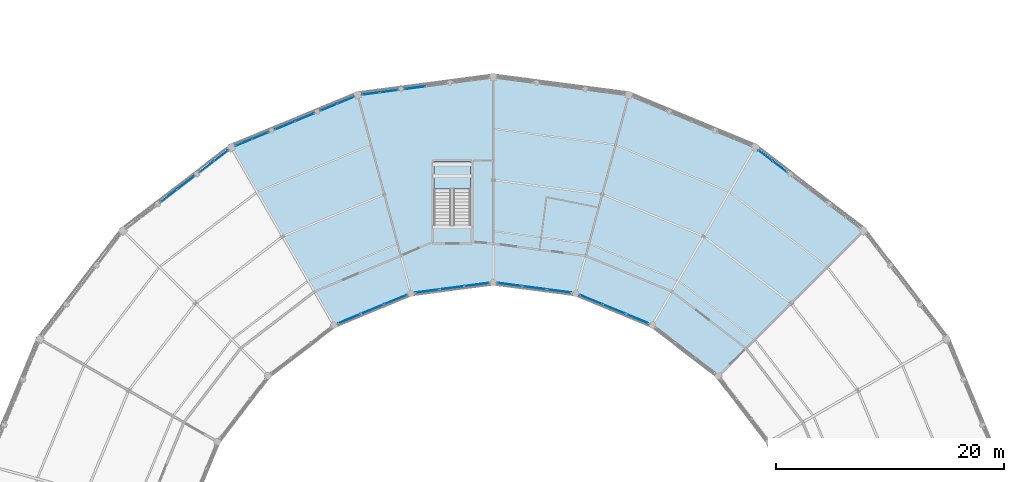
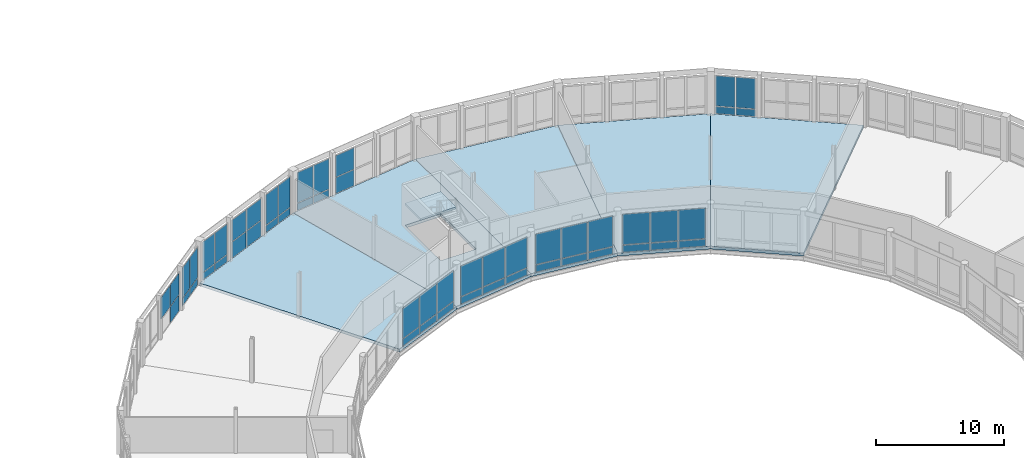
# One storey, part 130 of 170: 53 plates, 6 slabs, 13 elements without a shape of their own.
"""IFC4 building model written with IfcOpenShell, lengths in metres."""

import ifcopenshell
import ifcopenshell.guid

model = None  # the IFC model being written
_history = None  # IfcOwnerHistory: only IFC2X3 demands one
_inside = {}  # id of a spatial element -> (the spatial element, [elements in it])
_under = {}  # id of a project, library or spatial element -> (it, [spatial elements below it])
_declared = {}  # id of a project -> (the project, [libraries it declares])
_typed = {}  # id of a type object -> (the type object, [elements of that type])
_made_of = {}  # id of a material, layer set ... -> (it, [elements and type objects made of it])


def new_model(schema):
    """Start an empty IFC model of exactly this schema.

    Asked for "IFC4X3", IfcOpenShell would pick the latest addendum, in which some entities
    have other attributes; the version numbers below select the first issue.
    IFC2X3 requires an IfcOwnerHistory on every rooted entity: one is made here for all.
    """
    global model, _history
    if schema == "IFC4X3":
        model = ifcopenshell.file(schema_version=(4, 3, 0, 0))
    else:
        model = ifcopenshell.file(schema=schema)
    _inside.clear()
    _under.clear()
    _declared.clear()
    _typed.clear()
    _made_of.clear()
    _history = None
    if model.schema == "IFC2X3":
        org = make("IfcOrganization", Name="unknown")
        user = make(
            "IfcPersonAndOrganization",
            ThePerson=make("IfcPerson", FamilyName="unknown"),
            TheOrganization=org,
        )
        app = make(
            "IfcApplication",
            ApplicationDeveloper=org,
            Version="unknown",
            ApplicationFullName="unknown",
            ApplicationIdentifier="unknown",
        )
        _history = make(
            "IfcOwnerHistory",
            OwningUser=user,
            OwningApplication=app,
            ChangeAction="ADDED",
            CreationDate=0,
        )
    return model


def make(cls, **values):
    """One entity of the class cls with the attributes given. An attribute that is None is left unset."""
    return model.create_entity(
        cls, **{name: value for name, value in values.items() if value is not None}
    )


def rooted(cls, **values):
    """An entity with a GlobalId (a new one), such as an element, a storey or a relation."""
    return make(cls, GlobalId=ifcopenshell.guid.new(), OwnerHistory=_history, **values)


def si_unit(unit_type, name, prefix=None):
    """IfcSIUnit, for example si_unit("LENGTHUNIT", "METRE", prefix="MILLI")."""
    return make("IfcSIUnit", UnitType=unit_type, Prefix=prefix, Name=name)


def assignment(units):
    """IfcUnitAssignment: the units of a project."""
    return None if units is None else make("IfcUnitAssignment", Units=units)


def point(xyz):
    """IfcCartesianPoint."""
    return None if xyz is None else make("IfcCartesianPoint", Coordinates=xyz)


def direction(xyz):
    """IfcDirection."""
    return None if xyz is None else make("IfcDirection", DirectionRatios=xyz)


def frame(location, z_axis=None, x_axis=None):
    """IfcAxis2Placement3D, a coordinate frame: its origin and axes. An axis left out is left unset."""
    return make(
        "IfcAxis2Placement3D",
        Location=point(location),
        Axis=direction(z_axis),
        RefDirection=direction(x_axis),
    )


def frame_2d(location, x_axis=None):
    """IfcAxis2Placement2D, a coordinate frame in the plane: its origin and x axis."""
    return make(
        "IfcAxis2Placement2D", Location=point(location), RefDirection=direction(x_axis)
    )


def origin():
    """The frame at (0, 0, 0) with its axes left unset."""
    return frame((0.0, 0.0, 0.0))


def origin_2d():
    """The frame at (0, 0) in the plane with its x axis left unset."""
    return frame_2d((0.0, 0.0))


def place(relative_to, where):
    """IfcLocalPlacement: puts the frame where relative to a parent placement (None: the world)."""
    return make(
        "IfcLocalPlacement", PlacementRelTo=relative_to, RelativePlacement=where
    )


def context(
    kind, dimensions, precision=None, world=None, true_north=None, identifier=None
):
    """IfcGeometricRepresentationContext, for example the 3D "Model" context."""
    return make(
        "IfcGeometricRepresentationContext",
        ContextIdentifier=identifier,
        ContextType=kind,
        CoordinateSpaceDimension=dimensions,
        Precision=precision,
        WorldCoordinateSystem=world,
        TrueNorth=true_north,
    )


def subcontext(parent, identifier, kind, view, scale=None):
    """IfcGeometricRepresentationSubContext, for example "Body" below "Model"."""
    return make(
        "IfcGeometricRepresentationSubContext",
        ContextIdentifier=identifier,
        ContextType=kind,
        ParentContext=parent,
        TargetScale=scale,
        TargetView=view,
    )


def project(units=None, contexts=None):
    """IfcProject with its units and contexts."""
    return rooted(
        "IfcProject",
        Name="project",
        RepresentationContexts=contexts,
        UnitsInContext=assignment(units),
    )


def spatial(cls, under=None, at=None, **own):
    """A site, building, storey or space (cls), placed at a placement, below another one or the project."""
    s = rooted(cls, ObjectPlacement=at, **own)
    if under is not None:
        _under.setdefault(under.id(), (under, []))[1].append(s)
    return s


def polyline(points):
    """IfcPolyline through the points."""
    return make("IfcPolyline", Points=[point(p) for p in points])


def profile(cls, at=None, kind="AREA", **sizes):
    """A parametric profile (cls). Its sizes go by their IFC names, for example OverallWidth=200.0."""
    return make(cls, ProfileType=kind, Position=at, **sizes)


def rectangle(**sizes):
    """IfcRectangleProfileDef."""
    return profile("IfcRectangleProfileDef", **sizes)


def outline(outer, holes=None, kind="AREA"):
    """IfcArbitraryClosedProfileDef: a profile drawn as a closed curve; with holes, ...WithVoids."""
    if holes is None:
        return make("IfcArbitraryClosedProfileDef", ProfileType=kind, OuterCurve=outer)
    return make(
        "IfcArbitraryProfileDefWithVoids",
        ProfileType=kind,
        OuterCurve=outer,
        InnerCurves=holes,
    )


def extrude(swept, where, along, depth):
    """IfcExtrudedAreaSolid: the profile swept, set in the frame where, extruded along a direction by depth."""
    return make(
        "IfcExtrudedAreaSolid",
        SweptArea=swept,
        Position=where,
        ExtrudedDirection=direction(along),
        Depth=depth,
    )


def shape(context_of_items, identifier, shape_type, items):
    """IfcShapeRepresentation: the items that make up one representation, for example the "Body"."""
    return make(
        "IfcShapeRepresentation",
        ContextOfItems=context_of_items,
        RepresentationIdentifier=identifier,
        RepresentationType=shape_type,
        Items=items,
    )


def material(Name=None, Category=None):
    """IfcMaterial."""
    return make("IfcMaterial", Name=Name, Category=Category)


def layer(
    of_material, thickness, ventilated=None, Name=None, Category=None, Priority=None
):
    """IfcMaterialLayer: one layer of a wall or slab, of a material (None: an air gap)."""
    return make(
        "IfcMaterialLayer",
        Material=of_material,
        LayerThickness=thickness,
        IsVentilated=ventilated,
        Name=Name,
        Category=Category,
        Priority=Priority,
    )


def layer_set(layers, Name=None):
    """IfcMaterialLayerSet."""
    return make("IfcMaterialLayerSet", MaterialLayers=layers, LayerSetName=Name)


def made_of(thing, what):
    """Note that an element or type object is made of a material, layer set ...; save() writes the relation."""
    if what is not None:
        _made_of.setdefault(what.id(), (what, []))[1].append(thing)
    return thing


def type_object(cls, material=None, **own):
    """A type object (cls), such as IfcWallType, which elements share."""
    return made_of(rooted(cls, **own), material)


def element(
    cls,
    number,
    at=None,
    inside=None,
    cuts=None,
    type_object=None,
    material=None,
    context=None,
    identifier="Body",
    shape_type=None,
    held_by="IfcProductDefinitionShape",
    body=None,
    shapes=None,
    **own,
):
    """One element of the class cls, such as IfcWall. Its Tag is "e" and its number.

    at: its placement. inside: the storey or other place that contains it. cuts: it is an
    opening in that element (IfcRelVoidsElement). A single representation is given by context,
    identifier, shape_type and body (its items); several are given by shapes. held_by: the class
    of the entity that holds the representations. save() writes the other relations.
    """
    e = rooted(cls, Tag="e%d" % number, ObjectPlacement=at, **own)
    if body is not None:
        shapes = [shape(context, identifier, shape_type, body)]
    if shapes is not None:
        e.Representation = make(held_by, Representations=shapes)
    if inside is not None:
        _inside.setdefault(inside.id(), (inside, []))[1].append(e)
    if cuts is not None:
        rooted(
            "IfcRelVoidsElement", RelatingBuildingElement=cuts, RelatedOpeningElement=e
        )
    if type_object is not None:
        _typed.setdefault(type_object.id(), (type_object, []))[1].append(e)
    return made_of(e, material)


def aggregate(whole, parts):
    """IfcRelAggregates: a whole, such as a stair, and the parts it consists of."""
    return rooted("IfcRelAggregates", RelatingObject=whole, RelatedObjects=parts)


def save(model, path):
    """Write the relations noted so far, then the file.

    IfcRelAggregates (storeys below a building ...), IfcRelContainedInSpatialStructure (elements
    in a storey), IfcRelDefinesByType, IfcRelAssociatesMaterial and IfcRelDeclares: one each for
    every whole, place, type object, material and project.
    """
    for whole, parts in _under.values():
        aggregate(whole, parts)
    for where, things in _inside.values():
        rooted(
            "IfcRelContainedInSpatialStructure",
            RelatedElements=things,
            RelatingStructure=where,
        )
    for kind, things in _typed.values():
        rooted("IfcRelDefinesByType", RelatedObjects=things, RelatingType=kind)
    for what, things in _made_of.values():
        rooted("IfcRelAssociatesMaterial", RelatedObjects=things, RelatingMaterial=what)
    for by, libraries in _declared.values():
        rooted("IfcRelDeclares", RelatingContext=by, RelatedDefinitions=libraries)
    model.write(path)


model = new_model("IFC4")

# Units and contexts
model_context = context("Model", 3, precision=1e-05, world=origin(), true_north=direction((0.0, 1.0)))
body_context = subcontext(model_context, "Body", "Model", "MODEL_VIEW")
ifc_project = project(units=[si_unit("LENGTHUNIT", "METRE"), si_unit("AREAUNIT", "SQUARE_METRE"), si_unit("VOLUMEUNIT", "CUBIC_METRE"), si_unit("PLANEANGLEUNIT", "RADIAN"), si_unit("MASSUNIT", "GRAM", prefix="KILO")], contexts=[model_context])

# Site, building, storey
site_placement = place(None, origin())
site = spatial("IfcSite", under=ifc_project, at=site_placement, CompositionType="ELEMENT")
building_placement = place(site_placement, origin())
building = spatial("IfcBuilding", under=site, at=building_placement, Name="Vondelvale Polytechnic", CompositionType="ELEMENT")
storey_placement = place(building_placement, frame((0.0, 0.0, 5.39990234375)))
storey = spatial("IfcBuildingStorey", under=building, at=storey_placement, Name="L01", CompositionType="ELEMENT", Elevation=5.39990234375)

# Curtain wall, plates
ifc_material_1 = material(Name="Glulam GL18 structural Tasmanian oak (fb = 42 MPa)", Category="wood")
curtain_wall_type_1 = type_object("IfcCurtainWallType", Name="CW-RING-OUTER", PredefinedType="NOTDEFINED", material=ifc_material_1)
curtain_wall_1_placement = place(storey_placement, origin())
curtain_wall_1 = element("IfcCurtainWall", 1, at=curtain_wall_1_placement, inside=storey, type_object=curtain_wall_type_1, Name="L01 architectural curtain wall CW-04-103", PredefinedType="NOTDEFINED")
ifc_material_2 = material(Name="Double-glazed low-E insulated architectural glass", Category="glass")
ifc_layer_1 = layer(ifc_material_2, 0.028076171875)
ifc_layer_set_1 = layer_set([ifc_layer_1], Name="CW-PANEL-GLAZED")
plate_type_1 = type_object("IfcPlateType", Name="CW-PANEL-GLAZED", PredefinedType="CURTAIN_PANEL", material=ifc_layer_set_1)
plate_1_placement = place(storey_placement, frame((127.187744140625, 110.158447265625, 0.7802734375), z_axis=(0.0, 0.0, 1.0), x_axis=(-0.793333825656, 0.608786860133, 0.0)))
plate_1 = element("IfcPlate", 2, at=plate_1_placement, type_object=plate_type_1, Name="CW-04-103 panel 1.2", PredefinedType="CURTAIN_PANEL", context=body_context, shape_type="SweptSolid", body=[
    extrude(rectangle(XDim=1.530029296875, YDim=0.028076171875, at=origin_2d()), origin(), (0.0, 0.0, 1.0), 2.8798828125),
])
plate_2_placement = place(storey_placement, frame((125.92236328125, 111.12939453125, 0.7802734375), z_axis=(0.0, 0.0, 1.0), x_axis=(-0.793333825656, 0.608786860133, 0.0)))
plate_2 = element("IfcPlate", 3, at=plate_2_placement, type_object=plate_type_1, Name="CW-04-103 panel 2.2", PredefinedType="CURTAIN_PANEL", context=body_context, shape_type="SweptSolid", body=[
    extrude(rectangle(XDim=1.530029296875, YDim=0.028076171875, at=origin_2d()), origin(), (0.0, 0.0, 1.0), 2.8798828125),
])

ifc_material_3 = material(Name="Anodised extruded aluminium 6063-T6", Category="aluminium")
curtain_wall_type_2 = type_object("IfcCurtainWallType", Name="CW-RING-CLOISTER", PredefinedType="NOTDEFINED", material=ifc_material_3)
curtain_wall_2_placement = place(storey_placement, origin())
curtain_wall_2 = element("IfcCurtainWall", 4, at=curtain_wall_2_placement, inside=storey, type_object=curtain_wall_type_2, Name="L01 architectural curtain wall CW-03-115", PredefinedType="NOTDEFINED")
plate_3_placement = place(storey_placement, frame((114.655029296875, 96.805908203125, 0.78271484375), z_axis=(0.0, 0.0, 1.0), x_axis=(-0.923881562419, 0.382678531697, 0.0)))
plate_3 = element("IfcPlate", 5, at=plate_3_placement, type_object=plate_type_1, Name="CW-03-115 panel 1.2", PredefinedType="CURTAIN_PANEL", context=body_context, shape_type="SweptSolid", body=[
    extrude(rectangle(XDim=2.111572265625, YDim=0.028076171875, at=origin_2d()), origin(), (0.0, 0.0, 1.0), 2.902587890625),
])
plate_4_placement = place(storey_placement, frame((112.62353515625, 97.647216796875, 0.78271484375), z_axis=(0.0, 0.0, 1.0), x_axis=(-0.923881562419, 0.382678531697, 0.0)))
plate_4 = element("IfcPlate", 6, at=plate_4_placement, type_object=plate_type_1, Name="CW-03-115 panel 2.2", PredefinedType="CURTAIN_PANEL", context=body_context, shape_type="SweptSolid", body=[
    extrude(rectangle(XDim=2.146484375, YDim=0.028076171875, at=origin_2d()), origin(), (0.0, 0.0, 1.0), 2.902587890625),
])
plate_5_placement = place(storey_placement, frame((110.591796875, 98.48876953125, 0.78271484375), z_axis=(0.0, 0.0, 1.0), x_axis=(-0.923881562419, 0.382678531697, 0.0)))
plate_5 = element("IfcPlate", 7, at=plate_5_placement, type_object=plate_type_1, Name="CW-03-115 panel 3.2", PredefinedType="CURTAIN_PANEL", context=body_context, shape_type="SweptSolid", body=[
    extrude(rectangle(XDim=2.111572265625, YDim=0.028076171875, at=origin_2d()), origin(), (0.0, 0.0, 1.0), 2.902587890625),
])

curtain_wall_3_placement = place(storey_placement, origin())
curtain_wall_3 = element("IfcCurtainWall", 8, at=curtain_wall_3_placement, inside=storey, type_object=curtain_wall_type_2, Name="L01 architectural curtain wall CW-03-135", PredefinedType="NOTDEFINED")
plate_6_placement = place(storey_placement, frame((107.804443359375, 99.23583984375, 0.78271484375), z_axis=(0.0, 0.0, 1.0), x_axis=(-0.99144462243, 0.130528007165, 0.0)))
plate_6 = element("IfcPlate", 9, at=plate_6_placement, type_object=plate_type_1, Name="CW-03-135 panel 1.2", PredefinedType="CURTAIN_PANEL", context=body_context, shape_type="SweptSolid", body=[
    extrude(rectangle(XDim=2.1123046875, YDim=0.028076171875, at=origin_2d()), origin(), (0.0, 0.0, 1.0), 2.902587890625),
])
plate_7_placement = place(storey_placement, frame((105.62353515625, 99.52294921875, 0.78271484375), z_axis=(0.0, 0.0, 1.0), x_axis=(-0.99144462243, 0.130528007165, 0.0)))
plate_7 = element("IfcPlate", 10, at=plate_7_placement, type_object=plate_type_1, Name="CW-03-135 panel 2.2", PredefinedType="CURTAIN_PANEL", context=body_context, shape_type="SweptSolid", body=[
    extrude(rectangle(XDim=2.1474609375, YDim=0.028076171875, at=origin_2d()), origin(), (0.0, 0.0, 1.0), 2.902587890625),
])
plate_8_placement = place(storey_placement, frame((103.4423828125, 99.81005859375, 0.78271484375), z_axis=(0.0, 0.0, 1.0), x_axis=(-0.99144462243, 0.130528007165, 0.0)))
plate_8 = element("IfcPlate", 11, at=plate_8_placement, type_object=plate_type_1, Name="CW-03-135 panel 3.2", PredefinedType="CURTAIN_PANEL", context=body_context, shape_type="SweptSolid", body=[
    extrude(rectangle(XDim=2.1123046875, YDim=0.028076171875, at=origin_2d()), origin(), (0.0, 0.0, 1.0), 2.902587890625),
])

curtain_wall_4_placement = place(storey_placement, origin())
curtain_wall_4 = element("IfcCurtainWall", 12, at=curtain_wall_4_placement, inside=storey, type_object=curtain_wall_type_2, Name="L01 architectural curtain wall CW-03-155", PredefinedType="NOTDEFINED")
plate_9_placement = place(storey_placement, frame((100.5576171875, 99.81005859375, 0.78271484375), z_axis=(0.0, 0.0, 1.0), x_axis=(-0.99144462243, -0.130528007165, 0.0)))
plate_9 = element("IfcPlate", 13, at=plate_9_placement, type_object=plate_type_1, Name="CW-03-155 panel 1.2", PredefinedType="CURTAIN_PANEL", context=body_context, shape_type="SweptSolid", body=[
    extrude(rectangle(XDim=2.1123046875, YDim=0.028076171875, at=origin_2d()), origin(), (0.0, 0.0, 1.0), 2.902587890625),
])
plate_10_placement = place(storey_placement, frame((98.37646484375, 99.52294921875, 0.78271484375), z_axis=(0.0, 0.0, 1.0), x_axis=(-0.99144462243, -0.130528007165, 0.0)))
plate_10 = element("IfcPlate", 14, at=plate_10_placement, type_object=plate_type_1, Name="CW-03-155 panel 2.2", PredefinedType="CURTAIN_PANEL", context=body_context, shape_type="SweptSolid", body=[
    extrude(rectangle(XDim=2.1474609375, YDim=0.028076171875, at=origin_2d()), origin(), (0.0, 0.0, 1.0), 2.902587890625),
])
plate_11_placement = place(storey_placement, frame((96.195556640625, 99.23583984375, 0.78271484375), z_axis=(0.0, 0.0, 1.0), x_axis=(-0.99144462243, -0.130528007165, 0.0)))
plate_11 = element("IfcPlate", 15, at=plate_11_placement, type_object=plate_type_1, Name="CW-03-155 panel 3.2", PredefinedType="CURTAIN_PANEL", context=body_context, shape_type="SweptSolid", body=[
    extrude(rectangle(XDim=2.1123046875, YDim=0.028076171875, at=origin_2d()), origin(), (0.0, 0.0, 1.0), 2.902587890625),
])

curtain_wall_5_placement = place(storey_placement, origin())
curtain_wall_5 = element("IfcCurtainWall", 16, at=curtain_wall_5_placement, inside=storey, type_object=curtain_wall_type_1, Name="L01 architectural curtain wall CW-04-158", PredefinedType="NOTDEFINED")
plate_12_placement = place(storey_placement, frame((92.828369140625, 116.79248046875, 0.7802734375), z_axis=(0.0, 0.0, 1.0), x_axis=(-0.991443102996, -0.130539547729, 0.0)))
plate_12 = element("IfcPlate", 17, at=plate_12_placement, type_object=plate_type_1, Name="CW-04-158 panel 1.2", PredefinedType="CURTAIN_PANEL", context=body_context, shape_type="SweptSolid", body=[
    extrude(rectangle(XDim=1.530029296875, YDim=0.028076171875, at=origin_2d()), origin(), (0.0, 0.0, 1.0), 2.8798828125),
])
plate_13_placement = place(storey_placement, frame((91.2470703125, 116.584228515625, 0.7802734375), z_axis=(0.0, 0.0, 1.0), x_axis=(-0.991443102996, -0.130539547729, 0.0)))
plate_13 = element("IfcPlate", 18, at=plate_13_placement, type_object=plate_type_1, Name="CW-04-158 panel 2.2", PredefinedType="CURTAIN_PANEL", context=body_context, shape_type="SweptSolid", body=[
    extrude(rectangle(XDim=1.530029296875, YDim=0.028076171875, at=origin_2d()), origin(), (0.0, 0.0, 1.0), 2.8798828125),
])

curtain_wall_6_placement = place(storey_placement, origin())
curtain_wall_6 = element("IfcCurtainWall", 19, at=curtain_wall_6_placement, inside=storey, type_object=curtain_wall_type_2, Name="L01 architectural curtain wall CW-03-175", PredefinedType="NOTDEFINED")
plate_14_placement = place(storey_placement, frame((93.408203125, 98.48876953125, 0.78271484375), z_axis=(0.0, 0.0, 1.0), x_axis=(-0.923881562419, -0.382678531697, 0.0)))
plate_14 = element("IfcPlate", 20, at=plate_14_placement, type_object=plate_type_1, Name="CW-03-175 panel 1.2", PredefinedType="CURTAIN_PANEL", context=body_context, shape_type="SweptSolid", body=[
    extrude(rectangle(XDim=2.111572265625, YDim=0.028076171875, at=origin_2d()), origin(), (0.0, 0.0, 1.0), 2.902587890625),
])
plate_15_placement = place(storey_placement, frame((91.37646484375, 97.647216796875, 0.78271484375), z_axis=(0.0, 0.0, 1.0), x_axis=(-0.923881562419, -0.382678531697, 0.0)))
plate_15 = element("IfcPlate", 21, at=plate_15_placement, type_object=plate_type_1, Name="CW-03-175 panel 2.2", PredefinedType="CURTAIN_PANEL", context=body_context, shape_type="SweptSolid", body=[
    extrude(rectangle(XDim=2.146484375, YDim=0.028076171875, at=origin_2d()), origin(), (0.0, 0.0, 1.0), 2.902587890625),
])
plate_16_placement = place(storey_placement, frame((89.344970703125, 96.805908203125, 0.78271484375), z_axis=(0.0, 0.0, 1.0), x_axis=(-0.923881562419, -0.382678531697, 0.0)))
plate_16 = element("IfcPlate", 22, at=plate_16_placement, type_object=plate_type_1, Name="CW-03-175 panel 3.2", PredefinedType="CURTAIN_PANEL", context=body_context, shape_type="SweptSolid", body=[
    extrude(rectangle(XDim=2.111572265625, YDim=0.028076171875, at=origin_2d()), origin(), (0.0, 0.0, 1.0), 2.902587890625),
])

curtain_wall_7_placement = place(storey_placement, origin())
curtain_wall_7 = element("IfcCurtainWall", 23, at=curtain_wall_7_placement, inside=storey, type_object=curtain_wall_type_1, Name="L01 architectural curtain wall CW-04-176", PredefinedType="NOTDEFINED")
plate_17_placement = place(storey_placement, frame((89.02001953125, 115.98779296875, 0.7802734375), z_axis=(0.0, 0.0, 1.0), x_axis=(-0.923882033442, -0.382677394529, 0.0)))
plate_17 = element("IfcPlate", 24, at=plate_17_placement, type_object=plate_type_1, Name="CW-04-176 panel 1.2", PredefinedType="CURTAIN_PANEL", context=body_context, shape_type="SweptSolid", body=[
    extrude(rectangle(XDim=1.530029296875, YDim=0.028076171875, at=origin_2d()), origin(), (0.0, 0.0, 1.0), 2.8798828125),
])
plate_18_placement = place(storey_placement, frame((87.546630859375, 115.377197265625, 0.7802734375), z_axis=(0.0, 0.0, 1.0), x_axis=(-0.923882033442, -0.382677394529, 0.0)))
plate_18 = element("IfcPlate", 25, at=plate_18_placement, type_object=plate_type_1, Name="CW-04-176 panel 2.2", PredefinedType="CURTAIN_PANEL", context=body_context, shape_type="SweptSolid", body=[
    extrude(rectangle(XDim=1.530029296875, YDim=0.028076171875, at=origin_2d()), origin(), (0.0, 0.0, 1.0), 2.8798828125),
])

curtain_wall_8_placement = place(storey_placement, origin())
curtain_wall_8 = element("IfcCurtainWall", 26, at=curtain_wall_8_placement, inside=storey, type_object=curtain_wall_type_1, Name="L01 architectural curtain wall CW-04-177", PredefinedType="NOTDEFINED")
plate_19_placement = place(storey_placement, frame((85.412841796875, 114.493408203125, 1.6298828125), z_axis=(0.0, 0.0, 1.0), x_axis=(-0.92387490701, -0.382694599123, 0.0)))
plate_19 = element("IfcPlate", 27, at=plate_19_placement, type_object=plate_type_1, Name="CW-04-177 panel 1.2", PredefinedType="CURTAIN_PANEL", context=body_context, shape_type="SweptSolid", body=[
    extrude(rectangle(XDim=1.80908203125, YDim=0.028076171875, at=origin_2d()), origin(), (0.0, 0.0, 1.0), 2.030029296875),
])
plate_20_placement = place(storey_placement, frame((83.681396484375, 113.7763671875, 1.6298828125), z_axis=(0.0, 0.0, 1.0), x_axis=(-0.92387490701, -0.382694599123, 0.0)))
plate_20 = element("IfcPlate", 28, at=plate_20_placement, type_object=plate_type_1, Name="CW-04-177 panel 2.2", PredefinedType="CURTAIN_PANEL", context=body_context, shape_type="SweptSolid", body=[
    extrude(rectangle(XDim=1.80908203125, YDim=0.028076171875, at=origin_2d()), origin(), (0.0, 0.0, 1.0), 2.030029296875),
])

curtain_wall_9_placement = place(storey_placement, origin())
curtain_wall_9 = element("IfcCurtainWall", 29, at=curtain_wall_9_placement, inside=storey, type_object=curtain_wall_type_1, Name="L01 architectural curtain wall CW-04-178", PredefinedType="NOTDEFINED")
plate_21_placement = place(storey_placement, frame((81.5478515625, 112.892578125, 0.7802734375), z_axis=(0.0, 0.0, 1.0), x_axis=(-0.923882033442, -0.382677394529, 0.0)))
plate_21 = element("IfcPlate", 30, at=plate_21_placement, type_object=plate_type_1, Name="CW-04-178 panel 1.2", PredefinedType="CURTAIN_PANEL", context=body_context, shape_type="SweptSolid", body=[
    extrude(rectangle(XDim=1.530029296875, YDim=0.028076171875, at=origin_2d()), origin(), (0.0, 0.0, 1.0), 2.8798828125),
])
plate_22_placement = place(storey_placement, frame((80.07421875, 112.2822265625, 0.7802734375), z_axis=(0.0, 0.0, 1.0), x_axis=(-0.923882033442, -0.382677394529, 0.0)))
plate_22 = element("IfcPlate", 31, at=plate_22_placement, type_object=plate_type_1, Name="CW-04-178 panel 2.2", PredefinedType="CURTAIN_PANEL", context=body_context, shape_type="SweptSolid", body=[
    extrude(rectangle(XDim=1.530029296875, YDim=0.028076171875, at=origin_2d()), origin(), (0.0, 0.0, 1.0), 2.8798828125),
])

curtain_wall_10_placement = place(storey_placement, origin())
curtain_wall_10 = element("IfcCurtainWall", 32, at=curtain_wall_10_placement, inside=storey, type_object=curtain_wall_type_1, Name="L01 architectural curtain wall CW-04-195", PredefinedType="NOTDEFINED")
plate_23_placement = place(storey_placement, frame((78.07763671875, 111.12939453125, 0.7802734375), z_axis=(0.0, 0.0, 1.0), x_axis=(-0.793333825656, -0.608786860133, 0.0)))
plate_23 = element("IfcPlate", 33, at=plate_23_placement, type_object=plate_type_1, Name="CW-04-195 panel 1.2", PredefinedType="CURTAIN_PANEL", context=body_context, shape_type="SweptSolid", body=[
    extrude(rectangle(XDim=1.530029296875, YDim=0.028076171875, at=origin_2d()), origin(), (0.0, 0.0, 1.0), 2.8798828125),
])
plate_24_placement = place(storey_placement, frame((76.812255859375, 110.158447265625, 0.7802734375), z_axis=(0.0, 0.0, 1.0), x_axis=(-0.793333825656, -0.608786860133, 0.0)))
plate_24 = element("IfcPlate", 34, at=plate_24_placement, type_object=plate_type_1, Name="CW-04-195 panel 2.2", PredefinedType="CURTAIN_PANEL", context=body_context, shape_type="SweptSolid", body=[
    extrude(rectangle(XDim=1.530029296875, YDim=0.028076171875, at=origin_2d()), origin(), (0.0, 0.0, 1.0), 2.8798828125),
])

# Plate
ifc_material_4 = material(Name="Engineered Tasmanian oak studio and bridge joinery")
ifc_layer_2 = layer(ifc_material_4, 0.0419921875)
ifc_layer_set_2 = layer_set([ifc_layer_2], Name="CW-PANEL-OAK")
plate_type_2 = type_object("IfcPlateType", Name="CW-PANEL-OAK", PredefinedType="CURTAIN_PANEL", material=ifc_layer_set_2)
plate_25_placement = place(storey_placement, frame((114.655029296875, 96.805908203125, 0.06494140625), z_axis=(0.0, 0.0, 1.0), x_axis=(-0.923881562419, 0.382678531697, 0.0)))
plate_25 = element("IfcPlate", 35, at=plate_25_placement, type_object=plate_type_2, Name="CW-03-115 panel 1.1", PredefinedType="CURTAIN_PANEL", context=body_context, shape_type="SweptSolid", body=[
    extrude(rectangle(XDim=2.111572265625, YDim=0.0419921875, at=origin_2d()), origin(), (0.0, 0.0, 1.0), 0.652587890625),
])

plate_26_placement = place(storey_placement, frame((112.62353515625, 97.647216796875, 0.06494140625), z_axis=(0.0, 0.0, 1.0), x_axis=(-0.923881562419, 0.382678531697, 0.0)))
plate_26 = element("IfcPlate", 36, at=plate_26_placement, type_object=plate_type_2, Name="CW-03-115 panel 2.1", PredefinedType="CURTAIN_PANEL", context=body_context, shape_type="SweptSolid", body=[
    extrude(rectangle(XDim=2.146484375, YDim=0.0419921875, at=origin_2d()), origin(), (0.0, 0.0, 1.0), 0.652587890625),
])

plate_27_placement = place(storey_placement, frame((110.591796875, 98.48876953125, 0.06494140625), z_axis=(0.0, 0.0, 1.0), x_axis=(-0.923881562419, 0.382678531697, 0.0)))
plate_27 = element("IfcPlate", 37, at=plate_27_placement, type_object=plate_type_2, Name="CW-03-115 panel 3.1", PredefinedType="CURTAIN_PANEL", context=body_context, shape_type="SweptSolid", body=[
    extrude(rectangle(XDim=2.111572265625, YDim=0.0419921875, at=origin_2d()), origin(), (0.0, 0.0, 1.0), 0.652587890625),
])

aggregate(curtain_wall_2, [plate_25, plate_3, plate_26, plate_4, plate_27, plate_5])

plate_28_placement = place(storey_placement, frame((107.804443359375, 99.23583984375, 0.06494140625), z_axis=(0.0, 0.0, 1.0), x_axis=(-0.99144462243, 0.130528007165, 0.0)))
plate_28 = element("IfcPlate", 38, at=plate_28_placement, type_object=plate_type_2, Name="CW-03-135 panel 1.1", PredefinedType="CURTAIN_PANEL", context=body_context, shape_type="SweptSolid", body=[
    extrude(rectangle(XDim=2.1123046875, YDim=0.0419921875, at=origin_2d()), origin(), (0.0, 0.0, 1.0), 0.652587890625),
])

plate_29_placement = place(storey_placement, frame((105.62353515625, 99.52294921875, 0.06494140625), z_axis=(0.0, 0.0, 1.0), x_axis=(-0.99144462243, 0.130528007165, 0.0)))
plate_29 = element("IfcPlate", 39, at=plate_29_placement, type_object=plate_type_2, Name="CW-03-135 panel 2.1", PredefinedType="CURTAIN_PANEL", context=body_context, shape_type="SweptSolid", body=[
    extrude(rectangle(XDim=2.1474609375, YDim=0.0419921875, at=origin_2d()), origin(), (0.0, 0.0, 1.0), 0.652587890625),
])

plate_30_placement = place(storey_placement, frame((103.4423828125, 99.81005859375, 0.06494140625), z_axis=(0.0, 0.0, 1.0), x_axis=(-0.99144462243, 0.130528007165, 0.0)))
plate_30 = element("IfcPlate", 40, at=plate_30_placement, type_object=plate_type_2, Name="CW-03-135 panel 3.1", PredefinedType="CURTAIN_PANEL", context=body_context, shape_type="SweptSolid", body=[
    extrude(rectangle(XDim=2.1123046875, YDim=0.0419921875, at=origin_2d()), origin(), (0.0, 0.0, 1.0), 0.652587890625),
])

aggregate(curtain_wall_3, [plate_28, plate_6, plate_29, plate_7, plate_30, plate_8])

plate_31_placement = place(storey_placement, frame((100.5576171875, 99.81005859375, 0.06494140625), z_axis=(0.0, 0.0, 1.0), x_axis=(-0.99144462243, -0.130528007165, 0.0)))
plate_31 = element("IfcPlate", 41, at=plate_31_placement, type_object=plate_type_2, Name="CW-03-155 panel 1.1", PredefinedType="CURTAIN_PANEL", context=body_context, shape_type="SweptSolid", body=[
    extrude(rectangle(XDim=2.1123046875, YDim=0.0419921875, at=origin_2d()), origin(), (0.0, 0.0, 1.0), 0.652587890625),
])

plate_32_placement = place(storey_placement, frame((98.37646484375, 99.52294921875, 0.06494140625), z_axis=(0.0, 0.0, 1.0), x_axis=(-0.99144462243, -0.130528007165, 0.0)))
plate_32 = element("IfcPlate", 42, at=plate_32_placement, type_object=plate_type_2, Name="CW-03-155 panel 2.1", PredefinedType="CURTAIN_PANEL", context=body_context, shape_type="SweptSolid", body=[
    extrude(rectangle(XDim=2.1474609375, YDim=0.0419921875, at=origin_2d()), origin(), (0.0, 0.0, 1.0), 0.652587890625),
])

plate_33_placement = place(storey_placement, frame((96.195556640625, 99.23583984375, 0.06494140625), z_axis=(0.0, 0.0, 1.0), x_axis=(-0.99144462243, -0.130528007165, 0.0)))
plate_33 = element("IfcPlate", 43, at=plate_33_placement, type_object=plate_type_2, Name="CW-03-155 panel 3.1", PredefinedType="CURTAIN_PANEL", context=body_context, shape_type="SweptSolid", body=[
    extrude(rectangle(XDim=2.1123046875, YDim=0.0419921875, at=origin_2d()), origin(), (0.0, 0.0, 1.0), 0.652587890625),
])

aggregate(curtain_wall_4, [plate_31, plate_9, plate_32, plate_10, plate_33, plate_11])

# Curtain wall, plates
curtain_wall_11_placement = place(storey_placement, origin())
curtain_wall_11 = element("IfcCurtainWall", 44, at=curtain_wall_11_placement, inside=storey, type_object=curtain_wall_type_1, Name="L01 architectural curtain wall CW-04-157", PredefinedType="NOTDEFINED")
plate_34_placement = place(storey_placement, frame((95.1181640625, 117.093994140625, 0.06005859375), z_axis=(0.0, 0.0, 1.0), x_axis=(-0.991448671082, -0.130497251349, 0.0)))
plate_34 = element("IfcPlate", 45, at=plate_34_placement, type_object=plate_type_2, Name="CW-04-157 panel 2.1", PredefinedType="CURTAIN_PANEL", context=body_context, shape_type="SweptSolid", body=[
    extrude(rectangle(XDim=1.80908203125, YDim=0.0419921875, at=origin_2d()), origin(), (0.0, 0.0, 1.0), 1.510009765625),
])
plate_35_placement = place(storey_placement, frame((95.1181640625, 117.093994140625, 1.6298828125), z_axis=(0.0, 0.0, 1.0), x_axis=(-0.991448671082, -0.130497251349, 0.0)))
plate_35 = element("IfcPlate", 46, at=plate_35_placement, type_object=plate_type_2, Name="CW-04-157 panel 2.2", PredefinedType="CURTAIN_PANEL", context=body_context, shape_type="SweptSolid", body=[
    extrude(rectangle(XDim=1.80908203125, YDim=0.0419921875, at=origin_2d()), origin(), (0.0, 0.0, 1.0), 2.030029296875),
])
aggregate(curtain_wall_11, [plate_34, plate_35])

# Plate
plate_36_placement = place(storey_placement, frame((93.408203125, 98.48876953125, 0.06494140625), z_axis=(0.0, 0.0, 1.0), x_axis=(-0.923881562419, -0.382678531697, 0.0)))
plate_36 = element("IfcPlate", 47, at=plate_36_placement, type_object=plate_type_2, Name="CW-03-175 panel 1.1", PredefinedType="CURTAIN_PANEL", context=body_context, shape_type="SweptSolid", body=[
    extrude(rectangle(XDim=2.111572265625, YDim=0.0419921875, at=origin_2d()), origin(), (0.0, 0.0, 1.0), 0.652587890625),
])

plate_37_placement = place(storey_placement, frame((91.37646484375, 97.647216796875, 0.06494140625), z_axis=(0.0, 0.0, 1.0), x_axis=(-0.923881562419, -0.382678531697, 0.0)))
plate_37 = element("IfcPlate", 48, at=plate_37_placement, type_object=plate_type_2, Name="CW-03-175 panel 2.1", PredefinedType="CURTAIN_PANEL", context=body_context, shape_type="SweptSolid", body=[
    extrude(rectangle(XDim=2.146484375, YDim=0.0419921875, at=origin_2d()), origin(), (0.0, 0.0, 1.0), 0.652587890625),
])

plate_38_placement = place(storey_placement, frame((89.344970703125, 96.805908203125, 0.06494140625), z_axis=(0.0, 0.0, 1.0), x_axis=(-0.923881562419, -0.382678531697, 0.0)))
plate_38 = element("IfcPlate", 49, at=plate_38_placement, type_object=plate_type_2, Name="CW-03-175 panel 3.1", PredefinedType="CURTAIN_PANEL", context=body_context, shape_type="SweptSolid", body=[
    extrude(rectangle(XDim=2.111572265625, YDim=0.0419921875, at=origin_2d()), origin(), (0.0, 0.0, 1.0), 0.652587890625),
])

aggregate(curtain_wall_6, [plate_36, plate_14, plate_37, plate_15, plate_38, plate_16])

plate_39_placement = place(storey_placement, frame((85.412841796875, 114.493408203125, 0.06005859375), z_axis=(0.0, 0.0, 1.0), x_axis=(-0.92387490701, -0.382694599123, 0.0)))
plate_39 = element("IfcPlate", 50, at=plate_39_placement, type_object=plate_type_2, Name="CW-04-177 panel 1.1", PredefinedType="CURTAIN_PANEL", context=body_context, shape_type="SweptSolid", body=[
    extrude(rectangle(XDim=1.80908203125, YDim=0.0419921875, at=origin_2d()), origin(), (0.0, 0.0, 1.0), 1.510009765625),
])

plate_40_placement = place(storey_placement, frame((83.681396484375, 113.7763671875, 0.06005859375), z_axis=(0.0, 0.0, 1.0), x_axis=(-0.92387490701, -0.382694599123, 0.0)))
plate_40 = element("IfcPlate", 51, at=plate_40_placement, type_object=plate_type_2, Name="CW-04-177 panel 2.1", PredefinedType="CURTAIN_PANEL", context=body_context, shape_type="SweptSolid", body=[
    extrude(rectangle(XDim=1.80908203125, YDim=0.0419921875, at=origin_2d()), origin(), (0.0, 0.0, 1.0), 1.510009765625),
])

aggregate(curtain_wall_8, [plate_39, plate_19, plate_40, plate_20])

# Curtain wall, plates
curtain_wall_12_placement = place(storey_placement, origin())
curtain_wall_12 = element("IfcCurtainWall", 52, at=curtain_wall_12_placement, inside=storey, type_object=curtain_wall_type_1, Name="L01 architectural curtain wall CW-04-196", PredefinedType="NOTDEFINED")
plate_41_placement = place(storey_placement, frame((74.97998046875, 108.75244140625, 0.06005859375), z_axis=(0.0, 0.0, 1.0), x_axis=(-0.793345851043, -0.608771189063, 0.0)))
plate_41 = element("IfcPlate", 53, at=plate_41_placement, type_object=plate_type_2, Name="CW-04-196 panel 1.1", PredefinedType="CURTAIN_PANEL", context=body_context, shape_type="SweptSolid", body=[
    extrude(rectangle(XDim=1.80908203125, YDim=0.0419921875, at=origin_2d()), origin(), (0.0, 0.0, 1.0), 1.510009765625),
])
plate_42_placement = place(storey_placement, frame((74.97998046875, 108.75244140625, 1.6298828125), z_axis=(0.0, 0.0, 1.0), x_axis=(-0.793345851043, -0.608771189063, 0.0)))
plate_42 = element("IfcPlate", 54, at=plate_42_placement, type_object=plate_type_2, Name="CW-04-196 panel 1.2", PredefinedType="CURTAIN_PANEL", context=body_context, shape_type="SweptSolid", body=[
    extrude(rectangle(XDim=1.80908203125, YDim=0.0419921875, at=origin_2d()), origin(), (0.0, 0.0, 1.0), 2.030029296875),
])
plate_43_placement = place(storey_placement, frame((73.4931640625, 107.611572265625, 1.6298828125), z_axis=(0.0, 0.0, 1.0), x_axis=(-0.793345851043, -0.608771189063, 0.0)))
plate_43 = element("IfcPlate", 55, at=plate_43_placement, type_object=plate_type_2, Name="CW-04-196 panel 2.2", PredefinedType="CURTAIN_PANEL", context=body_context, shape_type="SweptSolid", body=[
    extrude(rectangle(XDim=1.80908203125, YDim=0.0419921875, at=origin_2d()), origin(), (0.0, 0.0, 1.0), 2.030029296875),
])
aggregate(curtain_wall_12, [plate_41, plate_42, plate_43])

# Plate
ifc_material_5 = material(Name="Kiln-fired architectural terracotta", Category="masonry")
ifc_layer_3 = layer(ifc_material_5, 0.035888671875)
ifc_layer_set_3 = layer_set([ifc_layer_3], Name="CW-PANEL-SPANDREL")
plate_type_3 = type_object("IfcPlateType", Name="CW-PANEL-SPANDREL", PredefinedType="CURTAIN_PANEL", material=ifc_layer_set_3)
plate_44_placement = place(storey_placement, frame((127.187744140625, 110.158447265625, 0.06005859375), z_axis=(0.0, 0.0, 1.0), x_axis=(-0.793333825656, 0.608786860133, 0.0)))
plate_44 = element("IfcPlate", 56, at=plate_44_placement, type_object=plate_type_3, Name="CW-04-103 panel 1.1", PredefinedType="CURTAIN_PANEL", context=body_context, shape_type="SweptSolid", body=[
    extrude(rectangle(XDim=1.530029296875, YDim=0.035888671875, at=origin_2d()), origin(), (0.0, 0.0, 1.0), 0.659912109375),
])

plate_45_placement = place(storey_placement, frame((125.92236328125, 111.12939453125, 0.06005859375), z_axis=(0.0, 0.0, 1.0), x_axis=(-0.793333825656, 0.608786860133, 0.0)))
plate_45 = element("IfcPlate", 57, at=plate_45_placement, type_object=plate_type_3, Name="CW-04-103 panel 2.1", PredefinedType="CURTAIN_PANEL", context=body_context, shape_type="SweptSolid", body=[
    extrude(rectangle(XDim=1.530029296875, YDim=0.035888671875, at=origin_2d()), origin(), (0.0, 0.0, 1.0), 0.659912109375),
])

aggregate(curtain_wall_1, [plate_44, plate_1, plate_45, plate_2])

plate_46_placement = place(storey_placement, frame((92.828369140625, 116.79248046875, 0.06005859375), z_axis=(0.0, 0.0, 1.0), x_axis=(-0.991443102996, -0.130539547729, 0.0)))
plate_46 = element("IfcPlate", 58, at=plate_46_placement, type_object=plate_type_3, Name="CW-04-158 panel 1.1", PredefinedType="CURTAIN_PANEL", context=body_context, shape_type="SweptSolid", body=[
    extrude(rectangle(XDim=1.530029296875, YDim=0.035888671875, at=origin_2d()), origin(), (0.0, 0.0, 1.0), 0.659912109375),
])

plate_47_placement = place(storey_placement, frame((91.2470703125, 116.584228515625, 0.06005859375), z_axis=(0.0, 0.0, 1.0), x_axis=(-0.991443102996, -0.130539547729, 0.0)))
plate_47 = element("IfcPlate", 59, at=plate_47_placement, type_object=plate_type_3, Name="CW-04-158 panel 2.1", PredefinedType="CURTAIN_PANEL", context=body_context, shape_type="SweptSolid", body=[
    extrude(rectangle(XDim=1.530029296875, YDim=0.035888671875, at=origin_2d()), origin(), (0.0, 0.0, 1.0), 0.659912109375),
])

aggregate(curtain_wall_5, [plate_46, plate_12, plate_47, plate_13])

plate_48_placement = place(storey_placement, frame((89.02001953125, 115.98779296875, 0.06005859375), z_axis=(0.0, 0.0, 1.0), x_axis=(-0.923882033442, -0.382677394529, 0.0)))
plate_48 = element("IfcPlate", 60, at=plate_48_placement, type_object=plate_type_3, Name="CW-04-176 panel 1.1", PredefinedType="CURTAIN_PANEL", context=body_context, shape_type="SweptSolid", body=[
    extrude(rectangle(XDim=1.530029296875, YDim=0.035888671875, at=origin_2d()), origin(), (0.0, 0.0, 1.0), 0.659912109375),
])

plate_49_placement = place(storey_placement, frame((87.546630859375, 115.377197265625, 0.06005859375), z_axis=(0.0, 0.0, 1.0), x_axis=(-0.923882033442, -0.382677394529, 0.0)))
plate_49 = element("IfcPlate", 61, at=plate_49_placement, type_object=plate_type_3, Name="CW-04-176 panel 2.1", PredefinedType="CURTAIN_PANEL", context=body_context, shape_type="SweptSolid", body=[
    extrude(rectangle(XDim=1.530029296875, YDim=0.035888671875, at=origin_2d()), origin(), (0.0, 0.0, 1.0), 0.659912109375),
])

aggregate(curtain_wall_7, [plate_48, plate_17, plate_49, plate_18])

plate_50_placement = place(storey_placement, frame((81.5478515625, 112.892578125, 0.06005859375), z_axis=(0.0, 0.0, 1.0), x_axis=(-0.923882033442, -0.382677394529, 0.0)))
plate_50 = element("IfcPlate", 62, at=plate_50_placement, type_object=plate_type_3, Name="CW-04-178 panel 1.1", PredefinedType="CURTAIN_PANEL", context=body_context, shape_type="SweptSolid", body=[
    extrude(rectangle(XDim=1.530029296875, YDim=0.035888671875, at=origin_2d()), origin(), (0.0, 0.0, 1.0), 0.659912109375),
])

plate_51_placement = place(storey_placement, frame((80.07421875, 112.2822265625, 0.06005859375), z_axis=(0.0, 0.0, 1.0), x_axis=(-0.923882033442, -0.382677394529, 0.0)))
plate_51 = element("IfcPlate", 63, at=plate_51_placement, type_object=plate_type_3, Name="CW-04-178 panel 2.1", PredefinedType="CURTAIN_PANEL", context=body_context, shape_type="SweptSolid", body=[
    extrude(rectangle(XDim=1.530029296875, YDim=0.035888671875, at=origin_2d()), origin(), (0.0, 0.0, 1.0), 0.659912109375),
])

aggregate(curtain_wall_9, [plate_50, plate_21, plate_51, plate_22])

plate_52_placement = place(storey_placement, frame((78.07763671875, 111.12939453125, 0.06005859375), z_axis=(0.0, 0.0, 1.0), x_axis=(-0.793333825656, -0.608786860133, 0.0)))
plate_52 = element("IfcPlate", 64, at=plate_52_placement, type_object=plate_type_3, Name="CW-04-195 panel 1.1", PredefinedType="CURTAIN_PANEL", context=body_context, shape_type="SweptSolid", body=[
    extrude(rectangle(XDim=1.530029296875, YDim=0.035888671875, at=origin_2d()), origin(), (0.0, 0.0, 1.0), 0.659912109375),
])

plate_53_placement = place(storey_placement, frame((76.812255859375, 110.158447265625, 0.06005859375), z_axis=(0.0, 0.0, 1.0), x_axis=(-0.793333825656, -0.608786860133, 0.0)))
plate_53 = element("IfcPlate", 65, at=plate_53_placement, type_object=plate_type_3, Name="CW-04-195 panel 2.1", PredefinedType="CURTAIN_PANEL", context=body_context, shape_type="SweptSolid", body=[
    extrude(rectangle(XDim=1.530029296875, YDim=0.035888671875, at=origin_2d()), origin(), (0.0, 0.0, 1.0), 0.659912109375),
])

aggregate(curtain_wall_10, [plate_52, plate_23, plate_53, plate_24])

# Stair, slab
ifc_material_6 = material(Name="Concrete N40 (f'c = 40 MPa)", Category="concrete")
stair_type = type_object("IfcStairType", Name="STR-DOG-1500", PredefinedType="HALF_TURN_STAIR", material=ifc_material_6)
stair_placement = place(storey_placement, origin())
stair = element("IfcStair", 66, at=stair_placement, inside=storey, type_object=stair_type, Name="L01 ST-09", PredefinedType="HALF_TURN_STAIR")
ifc_layer_4 = layer(ifc_material_6, 0.199951171875)
ifc_layer_set_4 = layer_set([ifc_layer_4], Name="SLB-LANDING-200")
slab_type_1 = type_object("IfcSlabType", Name="SLB-LANDING-200", PredefinedType="LANDING", material=ifc_layer_set_4)
slab_1_placement = place(storey_placement, frame((0.0, 0.0, 1.900146484375)))
slab_1 = element("IfcSlab", 67, at=slab_1_placement, type_object=slab_type_1, Name="ST-09 landing 1", PredefinedType="LANDING", context=body_context, shape_type="SweptSolid", body=[
    extrude(outline(polyline([(100.0, 108.18505859375), (100.0, 110.60009765625), (96.800048828125, 110.60009765625), (96.800048828125, 108.18505859375), (100.0, 108.18505859375)])), origin(), (0.0, 0.0, 1.0), 0.199951171875),
])
aggregate(stair, [slab_1])

# Slabs
ifc_layer_5 = layer(ifc_material_6, 0.280029296875)
ifc_layer_set_5 = layer_set([ifc_layer_5], Name="SLB-LIBRARY-280")
slab_type_2 = type_object("IfcSlabType", Name="SLB-LIBRARY-280", PredefinedType="FLOOR", material=ifc_layer_set_5)
slab_2_placement = place(storey_placement, frame((0.0, 0.0, -0.27978515625)))
element("IfcSlab", 68, at=slab_2_placement, inside=storey, type_object=slab_type_2, Name="L01 circular ring sector 03 floor slab", PredefinedType="FLOOR", context=body_context, shape_type="SweptSolid", body=[
    extrude(outline(polyline([(121.799072265625, 91.799072265625), (134.52685546875, 104.52685546875), (125.0, 111.837158203125), (116.0, 96.248779296875), (121.799072265625, 91.799072265625)])), origin(), (0.0, 0.0, 1.0), 0.27978515625),
])
slab_3_placement = place(storey_placement, frame((0.0, 0.0, -0.27978515625)))
element("IfcSlab", 69, at=slab_3_placement, inside=storey, type_object=slab_type_2, Name="L01 circular ring sector 04 floor slab", PredefinedType="FLOOR", context=body_context, shape_type="SweptSolid", body=[
    extrude(outline(polyline([(116.0, 96.248779296875), (125.0, 111.837158203125), (113.90576171875, 116.4326171875), (109.246826171875, 99.0458984375), (116.0, 96.248779296875)])), origin(), (0.0, 0.0, 1.0), 0.27978515625),
])
slab_4_placement = place(storey_placement, frame((0.0, 0.0, -0.27978515625)))
element("IfcSlab", 70, at=slab_4_placement, inside=storey, type_object=slab_type_2, Name="L01 circular ring sector 05 floor slab", PredefinedType="FLOOR", context=body_context, shape_type="SweptSolid", body=[
    extrude(outline(polyline([(109.246826171875, 99.0458984375), (113.90576171875, 116.4326171875), (102.0, 118.0), (102.0, 100.0), (109.246826171875, 99.0458984375)])), origin(), (0.0, 0.0, 1.0), 0.27978515625),
])
slab_5_placement = place(storey_placement, frame((0.0, 0.0, -0.27978515625)))
element("IfcSlab", 71, at=slab_5_placement, inside=storey, type_object=slab_type_2, Name="L01 circular ring sector 06 floor slab", PredefinedType="FLOOR", context=body_context, shape_type="SweptSolid", body=[
    extrude(outline(polyline([(102.0, 100.0), (102.0, 118.0), (90.09423828125, 116.4326171875), (94.753173828125, 99.0458984375), (102.0, 100.0)]), holes=[polyline([(100.0, 105.050048828125), (100.0, 110.60009765625), (96.800048828125, 110.60009765625), (96.800048828125, 105.050048828125), (100.0, 105.050048828125)])]), origin(), (0.0, 0.0, 1.0), 0.27978515625),
])
slab_6_placement = place(storey_placement, frame((0.0, 0.0, -0.27978515625)))
element("IfcSlab", 72, at=slab_6_placement, inside=storey, type_object=slab_type_2, Name="L01 circular ring sector 07 floor slab", PredefinedType="FLOOR", context=body_context, shape_type="SweptSolid", body=[
    extrude(outline(polyline([(94.753173828125, 99.0458984375), (90.09423828125, 116.4326171875), (79.0, 111.837158203125), (88.0, 96.248779296875), (94.753173828125, 99.0458984375)])), origin(), (0.0, 0.0, 1.0), 0.27978515625),
])

save(model, "model.ifc")
